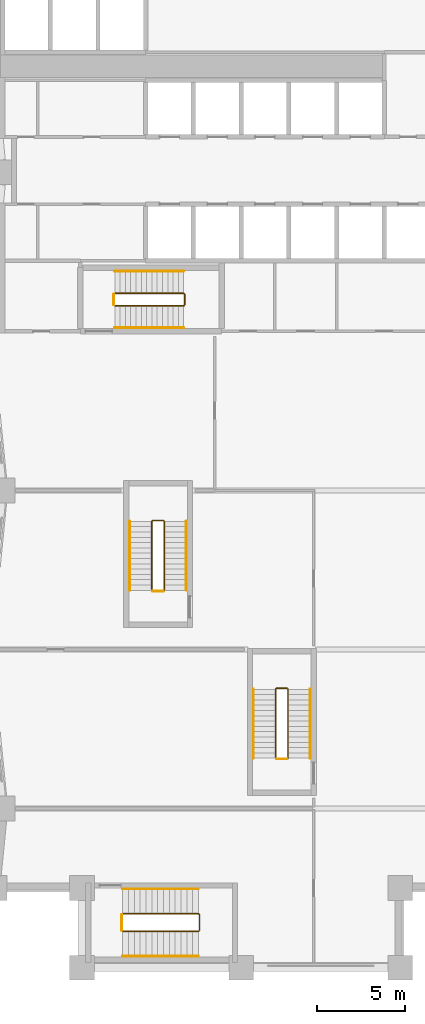
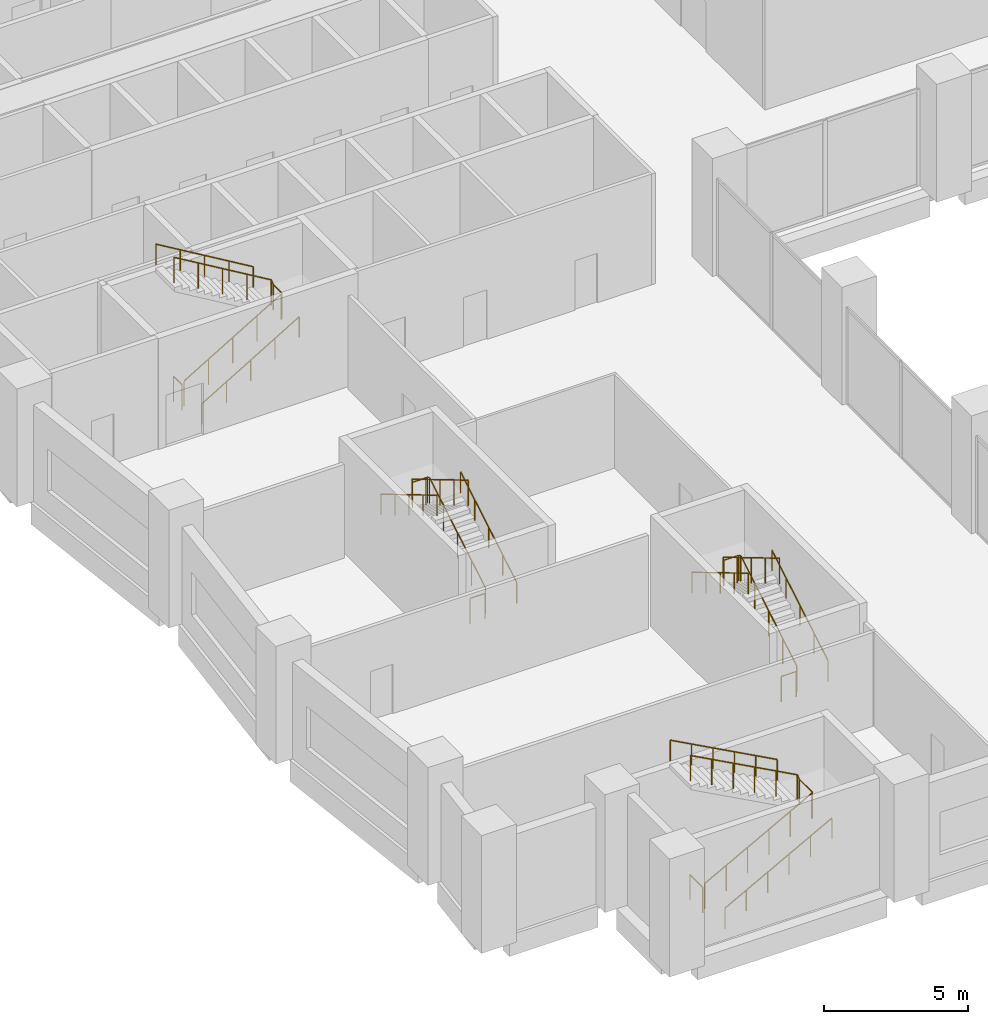
# One storey, part 15 of 17: 16 railings.
"""IFC4 building model written with IfcOpenShell, lengths in metres."""

from ifc_helpers import new_model, si_unit, direction, frame, origin, origin_2d, place, context, subcontext, project, spatial, circle, extrude, material, type_object, element, save


model = new_model("IFC4")

# Units and contexts
model_context = context("Model", 3, precision=1e-05, world=origin(), true_north=direction((0.0, 1.0)))
body_context = subcontext(model_context, "Body", "Model", "MODEL_VIEW")
ifc_project = project(units=[si_unit("LENGTHUNIT", "METRE"), si_unit("AREAUNIT", "SQUARE_METRE"), si_unit("VOLUMEUNIT", "CUBIC_METRE"), si_unit("PLANEANGLEUNIT", "RADIAN"), si_unit("MASSUNIT", "GRAM", prefix="KILO")], contexts=[model_context])

# Site, building, storey
site_placement = place(None, origin())
site = spatial("IfcSite", under=ifc_project, at=site_placement, CompositionType="ELEMENT")
building_placement = place(site_placement, origin())
building = spatial("IfcBuilding", under=site, at=building_placement, Name="Brondeck Convention Tower", CompositionType="ELEMENT")
storey_placement = place(building_placement, frame((0.0, 0.0, 14.5)))
storey = spatial("IfcBuildingStorey", under=building, at=storey_placement, Name="L02", CompositionType="ELEMENT", Elevation=14.5)

# Railings
ifc_material = material(Name="Steel S355", Category="steel")
railing_type_1 = type_object("IfcRailingType", Name="Stair guard 1100", PredefinedType="GUARDRAIL", material=ifc_material)
railing_1_placement = place(storey_placement, frame((6.35009765625, 37.449951171875, 0.178466796875)))
element("IfcRailing", 1, at=railing_1_placement, inside=storey, type_object=railing_type_1, Name="L02 ST-1 stair guard 1", PredefinedType="GUARDRAIL", context=body_context, shape_type="SweptSolid", body=[
    extrude(circle(Radius=0.02392578125, at=origin_2d()), frame((0.0, 0.0, 1.076171875), z_axis=(0.85927712236, 0.0, 0.511510339083), x_axis=(0.0, 1.0, 0.0)), (0.0, 0.0, 1.0), 4.53857421875),
    extrude(circle(Radius=0.02392578125, at=origin_2d()), frame((3.89990234375, 0.0, 3.3974609375), z_axis=(0.707106781187, 0.707106781187, 0.0), x_axis=(-0.707106781187, 0.707106781187, 0.0)), (0.0, 0.0, 1.0), 0.07080078125),
    extrude(circle(Radius=0.02392578125, at=origin_2d()), frame((3.949951171875, 0.050048828125, 3.3974609375), z_axis=(0.0, 1.0, 0.0), x_axis=(-1.0, 0.0, 0.0)), (0.0, 0.0, 1.0), 0.60009765625),
    extrude(circle(Radius=0.02392578125, at=origin_2d()), frame((3.949951171875, 0.650146484375, 3.3974609375), z_axis=(-0.26077077684, 0.25949872427, 0.929870428634), x_axis=(-0.705375805398, -0.708833529934, 0.0)), (0.0, 0.0, 1.0), 0.19189453125),
    extrude(circle(Radius=0.02392578125, at=origin_2d()), frame((3.89990234375, 0.699951171875, 3.576171875), z_axis=(-0.85927712236, 0.0, 0.511510339083), x_axis=(0.0, -1.0, 0.0)), (0.0, 0.0, 1.0), 4.53857421875),
    extrude(circle(Radius=0.02099609375, at=origin_2d()), origin(), (0.0, 0.0, 1.0), 1.052001953125),
    extrude(circle(Radius=0.02099609375, at=origin_2d()), frame((0.97509765625, 0.0, 0.580322265625)), (0.0, 0.0, 1.0), 1.052001953125),
    extrude(circle(Radius=0.02099609375, at=origin_2d()), frame((1.949951171875, 0.0, 1.16064453125)), (0.0, 0.0, 1.0), 1.052001953125),
    extrude(circle(Radius=0.02099609375, at=origin_2d()), frame((2.9248046875, 0.0, 1.7412109375)), (0.0, 0.0, 1.0), 1.052001953125),
    extrude(circle(Radius=0.02099609375, at=origin_2d()), frame((3.89990234375, 0.0, 2.321533203125)), (0.0, 0.0, 1.0), 1.052001953125),
    extrude(circle(Radius=0.02099609375, at=origin_2d()), frame((3.949951171875, 0.050048828125, 2.321533203125)), (0.0, 0.0, 1.0), 1.052001953125),
    extrude(circle(Radius=0.02099609375, at=origin_2d()), frame((3.949951171875, 0.650146484375, 2.321533203125)), (0.0, 0.0, 1.0), 1.052001953125),
    extrude(circle(Radius=0.02099609375, at=origin_2d()), frame((3.89990234375, 0.699951171875, 2.5)), (0.0, 0.0, 1.0), 1.052001953125),
    extrude(circle(Radius=0.02099609375, at=origin_2d()), frame((2.9248046875, 0.699951171875, 3.080322265625)), (0.0, 0.0, 1.0), 1.052001953125),
    extrude(circle(Radius=0.02099609375, at=origin_2d()), frame((1.949951171875, 0.699951171875, 3.66064453125)), (0.0, 0.0, 1.0), 1.052001953125),
    extrude(circle(Radius=0.02099609375, at=origin_2d()), frame((0.97509765625, 0.699951171875, 4.2412109375)), (0.0, 0.0, 1.0), 1.052001953125),
    extrude(circle(Radius=0.02099609375, at=origin_2d()), frame((0.0, 0.699951171875, 4.821533203125)), (0.0, 0.0, 1.0), 1.052001953125),
])
railing_2_placement = place(storey_placement, frame((6.300048828125, 37.5, 0.0)))
element("IfcRailing", 2, at=railing_2_placement, inside=storey, type_object=railing_type_1, Name="L02 ST-1 stair guard 2", PredefinedType="GUARDRAIL", context=body_context, shape_type="SweptSolid", body=[
    extrude(circle(Radius=0.02392578125, at=origin_2d()), frame((0.0, 0.0, 1.076171875), z_axis=(0.0, 1.0, 0.0), x_axis=(-1.0, 0.0, 0.0)), (0.0, 0.0, 1.0), 0.60009765625),
    extrude(circle(Radius=0.02099609375, at=origin_2d()), origin(), (0.0, 0.0, 1.0), 1.052001953125),
    extrude(circle(Radius=0.02099609375, at=origin_2d()), frame((0.0, 0.60009765625, 0.0)), (0.0, 0.0, 1.0), 1.052001953125),
])
railing_3_placement = place(storey_placement, frame((9.14990234375, 21.35009765625, 0.178466796875)))
element("IfcRailing", 3, at=railing_3_placement, inside=storey, type_object=railing_type_1, Name="L02 ST-BE stair guard 1", PredefinedType="GUARDRAIL", context=body_context, shape_type="SweptSolid", body=[
    extrude(circle(Radius=0.02392578125, at=origin_2d()), frame((0.0, 0.0, 1.076171875), z_axis=(0.0, 0.85927712236, 0.511510339083), x_axis=(-1.0, 0.0, 0.0)), (0.0, 0.0, 1.0), 4.53857421875),
    extrude(circle(Radius=0.02392578125, at=origin_2d()), frame((0.0, 3.89990234375, 3.3974609375), z_axis=(-0.705375805398, 0.708833529934, 0.0), x_axis=(-0.708833529934, -0.705375805398, 0.0)), (0.0, 0.0, 1.0), 0.070556640625),
    extrude(circle(Radius=0.02392578125, at=origin_2d()), frame((-0.0498046875, 3.949951171875, 3.3974609375), z_axis=(-1.0, 0.0, 0.0), x_axis=(0.0, -1.0, 0.0)), (0.0, 0.0, 1.0), 0.60009765625),
    extrude(circle(Radius=0.02392578125, at=origin_2d()), frame((-0.64990234375, 3.949951171875, 3.3974609375), z_axis=(-0.260684529273, -0.260684529273, 0.929562882432), x_axis=(0.707106781187, -0.707106781187, 0.0)), (0.0, 0.0, 1.0), 0.19189453125),
    extrude(circle(Radius=0.02392578125, at=origin_2d()), frame((-0.699951171875, 3.89990234375, 3.576171875), z_axis=(0.0, -0.85927712236, 0.511510339083), x_axis=(1.0, 0.0, 0.0)), (0.0, 0.0, 1.0), 4.53857421875),
    extrude(circle(Radius=0.02099609375, at=origin_2d()), origin(), (0.0, 0.0, 1.0), 1.052001953125),
    extrude(circle(Radius=0.02099609375, at=origin_2d()), frame((0.0, 0.97509765625, 0.580322265625)), (0.0, 0.0, 1.0), 1.052001953125),
    extrude(circle(Radius=0.02099609375, at=origin_2d()), frame((0.0, 1.949951171875, 1.16064453125)), (0.0, 0.0, 1.0), 1.052001953125),
    extrude(circle(Radius=0.02099609375, at=origin_2d()), frame((0.0, 2.9248046875, 1.7412109375)), (0.0, 0.0, 1.0), 1.052001953125),
    extrude(circle(Radius=0.02099609375, at=origin_2d()), frame((0.0, 3.89990234375, 2.321533203125)), (0.0, 0.0, 1.0), 1.052001953125),
    extrude(circle(Radius=0.02099609375, at=origin_2d()), frame((-0.0498046875, 3.949951171875, 2.321533203125)), (0.0, 0.0, 1.0), 1.052001953125),
    extrude(circle(Radius=0.02099609375, at=origin_2d()), frame((-0.64990234375, 3.949951171875, 2.321533203125)), (0.0, 0.0, 1.0), 1.052001953125),
    extrude(circle(Radius=0.02099609375, at=origin_2d()), frame((-0.699951171875, 3.89990234375, 2.5)), (0.0, 0.0, 1.0), 1.052001953125),
    extrude(circle(Radius=0.02099609375, at=origin_2d()), frame((-0.699951171875, 2.9248046875, 3.080322265625)), (0.0, 0.0, 1.0), 1.052001953125),
    extrude(circle(Radius=0.02099609375, at=origin_2d()), frame((-0.699951171875, 1.949951171875, 3.66064453125)), (0.0, 0.0, 1.0), 1.052001953125),
    extrude(circle(Radius=0.02099609375, at=origin_2d()), frame((-0.699951171875, 0.97509765625, 4.2412109375)), (0.0, 0.0, 1.0), 1.052001953125),
    extrude(circle(Radius=0.02099609375, at=origin_2d()), frame((-0.699951171875, 0.0, 4.821533203125)), (0.0, 0.0, 1.0), 1.052001953125),
])
railing_4_placement = place(storey_placement, frame((9.10009765625, 21.300048828125, 0.0)))
element("IfcRailing", 4, at=railing_4_placement, inside=storey, type_object=railing_type_1, Name="L02 ST-BE stair guard 2", PredefinedType="GUARDRAIL", context=body_context, shape_type="SweptSolid", body=[
    extrude(circle(Radius=0.02392578125, at=origin_2d()), frame((0.0, 0.0, 1.076171875), z_axis=(-1.0, 0.0, 0.0), x_axis=(0.0, -1.0, 0.0)), (0.0, 0.0, 1.0), 0.60009765625),
    extrude(circle(Radius=0.02099609375, at=origin_2d()), origin(), (0.0, 0.0, 1.0), 1.052001953125),
    extrude(circle(Radius=0.02099609375, at=origin_2d()), frame((-0.60009765625, 0.0, 0.0)), (0.0, 0.0, 1.0), 1.052001953125),
])
railing_5_placement = place(storey_placement, frame((16.14990234375, 11.85009765625, 0.178466796875)))
element("IfcRailing", 5, at=railing_5_placement, inside=storey, type_object=railing_type_1, Name="L02 ST-BF stair guard 1", PredefinedType="GUARDRAIL", context=body_context, shape_type="SweptSolid", body=[
    extrude(circle(Radius=0.02392578125, at=origin_2d()), frame((0.0, 0.0, 1.076171875), z_axis=(0.0, 0.85927712236, 0.511510339083), x_axis=(-1.0, 0.0, 0.0)), (0.0, 0.0, 1.0), 4.53857421875),
    extrude(circle(Radius=0.02392578125, at=origin_2d()), frame((0.0, 3.89990234375, 3.3974609375), z_axis=(-0.705375805398, 0.708833529934, 0.0), x_axis=(-0.708833529934, -0.705375805398, 0.0)), (0.0, 0.0, 1.0), 0.070556640625),
    extrude(circle(Radius=0.02392578125, at=origin_2d()), frame((-0.0498046875, 3.949951171875, 3.3974609375), z_axis=(-1.0, 0.0, 0.0), x_axis=(0.0, -1.0, 0.0)), (0.0, 0.0, 1.0), 0.60009765625),
    extrude(circle(Radius=0.02392578125, at=origin_2d()), frame((-0.64990234375, 3.949951171875, 3.3974609375), z_axis=(-0.260684529273, -0.260684529273, 0.929562882432), x_axis=(0.707106781187, -0.707106781187, 0.0)), (0.0, 0.0, 1.0), 0.19189453125),
    extrude(circle(Radius=0.02392578125, at=origin_2d()), frame((-0.699951171875, 3.89990234375, 3.576171875), z_axis=(0.0, -0.85927712236, 0.511510339083), x_axis=(1.0, 0.0, 0.0)), (0.0, 0.0, 1.0), 4.53857421875),
    extrude(circle(Radius=0.02099609375, at=origin_2d()), origin(), (0.0, 0.0, 1.0), 1.052001953125),
    extrude(circle(Radius=0.02099609375, at=origin_2d()), frame((0.0, 0.97509765625, 0.580322265625)), (0.0, 0.0, 1.0), 1.052001953125),
    extrude(circle(Radius=0.02099609375, at=origin_2d()), frame((0.0, 1.949951171875, 1.16064453125)), (0.0, 0.0, 1.0), 1.052001953125),
    extrude(circle(Radius=0.02099609375, at=origin_2d()), frame((0.0, 2.9248046875, 1.7412109375)), (0.0, 0.0, 1.0), 1.052001953125),
    extrude(circle(Radius=0.02099609375, at=origin_2d()), frame((0.0, 3.89990234375, 2.321533203125)), (0.0, 0.0, 1.0), 1.052001953125),
    extrude(circle(Radius=0.02099609375, at=origin_2d()), frame((-0.0498046875, 3.949951171875, 2.321533203125)), (0.0, 0.0, 1.0), 1.052001953125),
    extrude(circle(Radius=0.02099609375, at=origin_2d()), frame((-0.64990234375, 3.949951171875, 2.321533203125)), (0.0, 0.0, 1.0), 1.052001953125),
    extrude(circle(Radius=0.02099609375, at=origin_2d()), frame((-0.699951171875, 3.89990234375, 2.5)), (0.0, 0.0, 1.0), 1.052001953125),
    extrude(circle(Radius=0.02099609375, at=origin_2d()), frame((-0.699951171875, 2.9248046875, 3.080322265625)), (0.0, 0.0, 1.0), 1.052001953125),
    extrude(circle(Radius=0.02099609375, at=origin_2d()), frame((-0.699951171875, 1.949951171875, 3.66064453125)), (0.0, 0.0, 1.0), 1.052001953125),
    extrude(circle(Radius=0.02099609375, at=origin_2d()), frame((-0.699951171875, 0.97509765625, 4.2412109375)), (0.0, 0.0, 1.0), 1.052001953125),
    extrude(circle(Radius=0.02099609375, at=origin_2d()), frame((-0.699951171875, 0.0, 4.821533203125)), (0.0, 0.0, 1.0), 1.052001953125),
])
railing_6_placement = place(storey_placement, frame((16.10009765625, 11.800048828125, 0.0)))
element("IfcRailing", 6, at=railing_6_placement, inside=storey, type_object=railing_type_1, Name="L02 ST-BF stair guard 2", PredefinedType="GUARDRAIL", context=body_context, shape_type="SweptSolid", body=[
    extrude(circle(Radius=0.02392578125, at=origin_2d()), frame((0.0, 0.0, 1.076171875), z_axis=(-1.0, 0.0, 0.0), x_axis=(0.0, -1.0, 0.0)), (0.0, 0.0, 1.0), 0.60009765625),
    extrude(circle(Radius=0.02099609375, at=origin_2d()), origin(), (0.0, 0.0, 1.0), 1.052001953125),
    extrude(circle(Radius=0.02099609375, at=origin_2d()), frame((-0.60009765625, 0.0, 0.0)), (0.0, 0.0, 1.0), 1.052001953125),
])
railing_7_placement = place(storey_placement, frame((6.800048828125, 2.050048828125, 0.178466796875)))
element("IfcRailing", 7, at=railing_7_placement, inside=storey, type_object=railing_type_1, Name="L02 PS-2 stair guard 1", PredefinedType="GUARDRAIL", context=body_context, shape_type="SweptSolid", body=[
    extrude(circle(Radius=0.02392578125, at=origin_2d()), frame((0.0, 0.0, 1.076171875), z_axis=(0.87948403443, 0.0, 0.475928390814), x_axis=(0.0, 1.0, 0.0)), (0.0, 0.0, 1.0), 4.8779296875),
    extrude(circle(Radius=0.02392578125, at=origin_2d()), frame((4.2900390625, 0.0, 3.3974609375), z_axis=(0.705375805398, 0.708833529934, 0.0), x_axis=(-0.708833529934, 0.705375805398, 0.0)), (0.0, 0.0, 1.0), 0.070556640625),
    extrude(circle(Radius=0.02392578125, at=origin_2d()), frame((4.33984375, 0.050048828125, 3.3974609375), z_axis=(0.0, 1.0, 0.0), x_axis=(-1.0, 0.0, 0.0)), (0.0, 0.0, 1.0), 0.89990234375),
    extrude(circle(Radius=0.02392578125, at=origin_2d()), frame((4.33984375, 0.949951171875, 3.3974609375), z_axis=(-0.25949872427, 0.26077077684, 0.929870428634), x_axis=(-0.708833529934, -0.705375805398, 0.0)), (0.0, 0.0, 1.0), 0.19189453125),
    extrude(circle(Radius=0.02392578125, at=origin_2d()), frame((4.2900390625, 1.0, 3.576171875), z_axis=(-0.87948403443, 0.0, 0.475928390814), x_axis=(0.0, -1.0, 0.0)), (0.0, 0.0, 1.0), 4.8779296875),
    extrude(circle(Radius=0.02099609375, at=origin_2d()), origin(), (0.0, 0.0, 1.0), 1.052001953125),
    extrude(circle(Radius=0.02099609375, at=origin_2d()), frame((0.85791015625, 0.0, 0.46435546875)), (0.0, 0.0, 1.0), 1.052001953125),
    extrude(circle(Radius=0.02099609375, at=origin_2d()), frame((1.716064453125, 0.0, 0.9287109375)), (0.0, 0.0, 1.0), 1.052001953125),
    extrude(circle(Radius=0.02099609375, at=origin_2d()), frame((2.573974609375, 0.0, 1.392822265625)), (0.0, 0.0, 1.0), 1.052001953125),
    extrude(circle(Radius=0.02099609375, at=origin_2d()), frame((3.43212890625, 0.0, 1.857177734375)), (0.0, 0.0, 1.0), 1.052001953125),
    extrude(circle(Radius=0.02099609375, at=origin_2d()), frame((4.2900390625, 0.0, 2.321533203125)), (0.0, 0.0, 1.0), 1.052001953125),
    extrude(circle(Radius=0.02099609375, at=origin_2d()), frame((4.33984375, 0.050048828125, 2.321533203125)), (0.0, 0.0, 1.0), 1.052001953125),
    extrude(circle(Radius=0.02099609375, at=origin_2d()), frame((4.33984375, 0.949951171875, 2.321533203125)), (0.0, 0.0, 1.0), 1.052001953125),
    extrude(circle(Radius=0.02099609375, at=origin_2d()), frame((4.2900390625, 1.0, 2.5)), (0.0, 0.0, 1.0), 1.052001953125),
    extrude(circle(Radius=0.02099609375, at=origin_2d()), frame((3.43212890625, 1.0, 2.96435546875)), (0.0, 0.0, 1.0), 1.052001953125),
    extrude(circle(Radius=0.02099609375, at=origin_2d()), frame((2.573974609375, 1.0, 3.4287109375)), (0.0, 0.0, 1.0), 1.052001953125),
    extrude(circle(Radius=0.02099609375, at=origin_2d()), frame((1.716064453125, 1.0, 3.892822265625)), (0.0, 0.0, 1.0), 1.052001953125),
    extrude(circle(Radius=0.02099609375, at=origin_2d()), frame((0.85791015625, 1.0, 4.357177734375)), (0.0, 0.0, 1.0), 1.052001953125),
    extrude(circle(Radius=0.02099609375, at=origin_2d()), frame((0.0, 1.0, 4.821533203125)), (0.0, 0.0, 1.0), 1.052001953125),
])
railing_8_placement = place(storey_placement, frame((6.75, 2.10009765625, 0.0)))
element("IfcRailing", 8, at=railing_8_placement, inside=storey, type_object=railing_type_1, Name="L02 PS-2 stair guard 2", PredefinedType="GUARDRAIL", context=body_context, shape_type="SweptSolid", body=[
    extrude(circle(Radius=0.02392578125, at=origin_2d()), frame((0.0, 0.0, 1.076171875), z_axis=(0.0, 1.0, 0.0), x_axis=(-1.0, 0.0, 0.0)), (0.0, 0.0, 1.0), 0.89990234375),
    extrude(circle(Radius=0.02099609375, at=origin_2d()), origin(), (0.0, 0.0, 1.0), 1.052001953125),
    extrude(circle(Radius=0.02099609375, at=origin_2d()), frame((0.0, 0.89990234375, 0.0)), (0.0, 0.0, 1.0), 1.052001953125),
])
railing_type_2 = type_object("IfcRailingType", Name="Stair handrail", PredefinedType="HANDRAIL", material=ifc_material)
railing_9_placement = place(storey_placement, frame((6.35009765625, 36.199951171875, 0.178466796875)))
element("IfcRailing", 9, at=railing_9_placement, inside=storey, type_object=railing_type_2, Name="L02 ST-1 stair handrail 1", PredefinedType="HANDRAIL", context=body_context, shape_type="SweptSolid", body=[
    extrude(circle(Radius=0.02392578125, at=origin_2d()), frame((0.0, 0.0, 0.8759765625), z_axis=(0.85927712236, 0.0, 0.511510339083), x_axis=(0.0, 1.0, 0.0)), (0.0, 0.0, 1.0), 4.53857421875),
    extrude(circle(Radius=0.02099609375, at=origin_2d()), origin(), (0.0, 0.0, 1.0), 0.851806640625),
    extrude(circle(Radius=0.02099609375, at=origin_2d()), frame((0.97509765625, 0.0, 0.580322265625)), (0.0, 0.0, 1.0), 0.851806640625),
    extrude(circle(Radius=0.02099609375, at=origin_2d()), frame((1.949951171875, 0.0, 1.16064453125)), (0.0, 0.0, 1.0), 0.851806640625),
    extrude(circle(Radius=0.02099609375, at=origin_2d()), frame((2.9248046875, 0.0, 1.7412109375)), (0.0, 0.0, 1.0), 0.851806640625),
    extrude(circle(Radius=0.02099609375, at=origin_2d()), frame((3.89990234375, 0.0, 2.321533203125)), (0.0, 0.0, 1.0), 0.851806640625),
])
railing_10_placement = place(storey_placement, frame((10.25, 39.39990234375, 2.678466796875)))
element("IfcRailing", 10, at=railing_10_placement, inside=storey, type_object=railing_type_2, Name="L02 ST-1 stair handrail 2", PredefinedType="HANDRAIL", context=body_context, shape_type="SweptSolid", body=[
    extrude(circle(Radius=0.02392578125, at=origin_2d()), frame((0.0, 0.0, 0.8759765625), z_axis=(-0.85927712236, 0.0, 0.511510339083), x_axis=(0.0, -1.0, 0.0)), (0.0, 0.0, 1.0), 4.53857421875),
    extrude(circle(Radius=0.02099609375, at=origin_2d()), origin(), (0.0, 0.0, 1.0), 0.851806640625),
    extrude(circle(Radius=0.02099609375, at=origin_2d()), frame((-0.97509765625, 0.0, 0.580322265625)), (0.0, 0.0, 1.0), 0.851806640625),
    extrude(circle(Radius=0.02099609375, at=origin_2d()), frame((-1.949951171875, 0.0, 1.16064453125)), (0.0, 0.0, 1.0), 0.851806640625),
    extrude(circle(Radius=0.02099609375, at=origin_2d()), frame((-2.9248046875, 0.0, 1.7412109375)), (0.0, 0.0, 1.0), 0.851806640625),
    extrude(circle(Radius=0.02099609375, at=origin_2d()), frame((-3.89990234375, 0.0, 2.321533203125)), (0.0, 0.0, 1.0), 0.851806640625),
])
railing_11_placement = place(storey_placement, frame((10.39990234375, 21.35009765625, 0.178466796875)))
element("IfcRailing", 11, at=railing_11_placement, inside=storey, type_object=railing_type_2, Name="L02 ST-BE stair handrail 1", PredefinedType="HANDRAIL", context=body_context, shape_type="SweptSolid", body=[
    extrude(circle(Radius=0.02392578125, at=origin_2d()), frame((0.0, 0.0, 0.8759765625), z_axis=(0.0, 0.85927712236, 0.511510339083), x_axis=(-1.0, 0.0, 0.0)), (0.0, 0.0, 1.0), 4.53857421875),
    extrude(circle(Radius=0.02099609375, at=origin_2d()), origin(), (0.0, 0.0, 1.0), 0.851806640625),
    extrude(circle(Radius=0.02099609375, at=origin_2d()), frame((0.0, 0.97509765625, 0.580322265625)), (0.0, 0.0, 1.0), 0.851806640625),
    extrude(circle(Radius=0.02099609375, at=origin_2d()), frame((0.0, 1.949951171875, 1.16064453125)), (0.0, 0.0, 1.0), 0.851806640625),
    extrude(circle(Radius=0.02099609375, at=origin_2d()), frame((0.0, 2.9248046875, 1.7412109375)), (0.0, 0.0, 1.0), 0.851806640625),
    extrude(circle(Radius=0.02099609375, at=origin_2d()), frame((0.0, 3.89990234375, 2.321533203125)), (0.0, 0.0, 1.0), 0.851806640625),
])
railing_12_placement = place(storey_placement, frame((7.199951171875, 25.25, 2.678466796875)))
element("IfcRailing", 12, at=railing_12_placement, inside=storey, type_object=railing_type_2, Name="L02 ST-BE stair handrail 2", PredefinedType="HANDRAIL", context=body_context, shape_type="SweptSolid", body=[
    extrude(circle(Radius=0.02392578125, at=origin_2d()), frame((0.0, 0.0, 0.8759765625), z_axis=(0.0, -0.85927712236, 0.511510339083), x_axis=(1.0, 0.0, 0.0)), (0.0, 0.0, 1.0), 4.53857421875),
    extrude(circle(Radius=0.02099609375, at=origin_2d()), origin(), (0.0, 0.0, 1.0), 0.851806640625),
    extrude(circle(Radius=0.02099609375, at=origin_2d()), frame((0.0, -0.97509765625, 0.580322265625)), (0.0, 0.0, 1.0), 0.851806640625),
    extrude(circle(Radius=0.02099609375, at=origin_2d()), frame((0.0, -1.949951171875, 1.16064453125)), (0.0, 0.0, 1.0), 0.851806640625),
    extrude(circle(Radius=0.02099609375, at=origin_2d()), frame((0.0, -2.9248046875, 1.7412109375)), (0.0, 0.0, 1.0), 0.851806640625),
    extrude(circle(Radius=0.02099609375, at=origin_2d()), frame((0.0, -3.89990234375, 2.321533203125)), (0.0, 0.0, 1.0), 0.851806640625),
])
railing_13_placement = place(storey_placement, frame((17.39990234375, 11.85009765625, 0.178466796875)))
element("IfcRailing", 13, at=railing_13_placement, inside=storey, type_object=railing_type_2, Name="L02 ST-BF stair handrail 1", PredefinedType="HANDRAIL", context=body_context, shape_type="SweptSolid", body=[
    extrude(circle(Radius=0.02392578125, at=origin_2d()), frame((0.0, 0.0, 0.8759765625), z_axis=(0.0, 0.85927712236, 0.511510339083), x_axis=(-1.0, 0.0, 0.0)), (0.0, 0.0, 1.0), 4.53857421875),
    extrude(circle(Radius=0.02099609375, at=origin_2d()), origin(), (0.0, 0.0, 1.0), 0.851806640625),
    extrude(circle(Radius=0.02099609375, at=origin_2d()), frame((0.0, 0.97509765625, 0.580322265625)), (0.0, 0.0, 1.0), 0.851806640625),
    extrude(circle(Radius=0.02099609375, at=origin_2d()), frame((0.0, 1.949951171875, 1.16064453125)), (0.0, 0.0, 1.0), 0.851806640625),
    extrude(circle(Radius=0.02099609375, at=origin_2d()), frame((0.0, 2.9248046875, 1.7412109375)), (0.0, 0.0, 1.0), 0.851806640625),
    extrude(circle(Radius=0.02099609375, at=origin_2d()), frame((0.0, 3.89990234375, 2.321533203125)), (0.0, 0.0, 1.0), 0.851806640625),
])
railing_14_placement = place(storey_placement, frame((14.199951171875, 15.75, 2.678466796875)))
element("IfcRailing", 14, at=railing_14_placement, inside=storey, type_object=railing_type_2, Name="L02 ST-BF stair handrail 2", PredefinedType="HANDRAIL", context=body_context, shape_type="SweptSolid", body=[
    extrude(circle(Radius=0.02392578125, at=origin_2d()), frame((0.0, 0.0, 0.8759765625), z_axis=(0.0, -0.85927712236, 0.511510339083), x_axis=(1.0, 0.0, 0.0)), (0.0, 0.0, 1.0), 4.53857421875),
    extrude(circle(Radius=0.02099609375, at=origin_2d()), origin(), (0.0, 0.0, 1.0), 0.851806640625),
    extrude(circle(Radius=0.02099609375, at=origin_2d()), frame((0.0, -0.97509765625, 0.580322265625)), (0.0, 0.0, 1.0), 0.851806640625),
    extrude(circle(Radius=0.02099609375, at=origin_2d()), frame((0.0, -1.949951171875, 1.16064453125)), (0.0, 0.0, 1.0), 0.851806640625),
    extrude(circle(Radius=0.02099609375, at=origin_2d()), frame((0.0, -2.9248046875, 1.7412109375)), (0.0, 0.0, 1.0), 0.851806640625),
    extrude(circle(Radius=0.02099609375, at=origin_2d()), frame((0.0, -3.89990234375, 2.321533203125)), (0.0, 0.0, 1.0), 0.851806640625),
])
railing_15_placement = place(storey_placement, frame((6.800048828125, 0.64990234375, 0.178466796875)))
element("IfcRailing", 15, at=railing_15_placement, inside=storey, type_object=railing_type_2, Name="L02 PS-2 stair handrail 1", PredefinedType="HANDRAIL", context=body_context, shape_type="SweptSolid", body=[
    extrude(circle(Radius=0.02392578125, at=origin_2d()), frame((0.0, 0.0, 0.8759765625), z_axis=(0.87948403443, 0.0, 0.475928390814), x_axis=(0.0, 1.0, 0.0)), (0.0, 0.0, 1.0), 4.8779296875),
    extrude(circle(Radius=0.02099609375, at=origin_2d()), origin(), (0.0, 0.0, 1.0), 0.851806640625),
    extrude(circle(Radius=0.02099609375, at=origin_2d()), frame((0.85791015625, 0.0, 0.46435546875)), (0.0, 0.0, 1.0), 0.851806640625),
    extrude(circle(Radius=0.02099609375, at=origin_2d()), frame((1.716064453125, 0.0, 0.9287109375)), (0.0, 0.0, 1.0), 0.851806640625),
    extrude(circle(Radius=0.02099609375, at=origin_2d()), frame((2.573974609375, 0.0, 1.392822265625)), (0.0, 0.0, 1.0), 0.851806640625),
    extrude(circle(Radius=0.02099609375, at=origin_2d()), frame((3.43212890625, 0.0, 1.857177734375)), (0.0, 0.0, 1.0), 0.851806640625),
    extrude(circle(Radius=0.02099609375, at=origin_2d()), frame((4.2900390625, 0.0, 2.321533203125)), (0.0, 0.0, 1.0), 0.851806640625),
])
railing_16_placement = place(storey_placement, frame((11.090087890625, 4.449951171875, 2.678466796875)))
element("IfcRailing", 16, at=railing_16_placement, inside=storey, type_object=railing_type_2, Name="L02 PS-2 stair handrail 2", PredefinedType="HANDRAIL", context=body_context, shape_type="SweptSolid", body=[
    extrude(circle(Radius=0.02392578125, at=origin_2d()), frame((0.0, 0.0, 0.8759765625), z_axis=(-0.87948403443, 0.0, 0.475928390814), x_axis=(0.0, -1.0, 0.0)), (0.0, 0.0, 1.0), 4.8779296875),
    extrude(circle(Radius=0.02099609375, at=origin_2d()), origin(), (0.0, 0.0, 1.0), 0.851806640625),
    extrude(circle(Radius=0.02099609375, at=origin_2d()), frame((-0.85791015625, 0.0, 0.46435546875)), (0.0, 0.0, 1.0), 0.851806640625),
    extrude(circle(Radius=0.02099609375, at=origin_2d()), frame((-1.716064453125, 0.0, 0.9287109375)), (0.0, 0.0, 1.0), 0.851806640625),
    extrude(circle(Radius=0.02099609375, at=origin_2d()), frame((-2.573974609375, 0.0, 1.392822265625)), (0.0, 0.0, 1.0), 0.851806640625),
    extrude(circle(Radius=0.02099609375, at=origin_2d()), frame((-3.43212890625, 0.0, 1.857177734375)), (0.0, 0.0, 1.0), 0.851806640625),
    extrude(circle(Radius=0.02099609375, at=origin_2d()), frame((-4.2900390625, 0.0, 2.321533203125)), (0.0, 0.0, 1.0), 0.851806640625),
])

save(model, "model.ifc")
